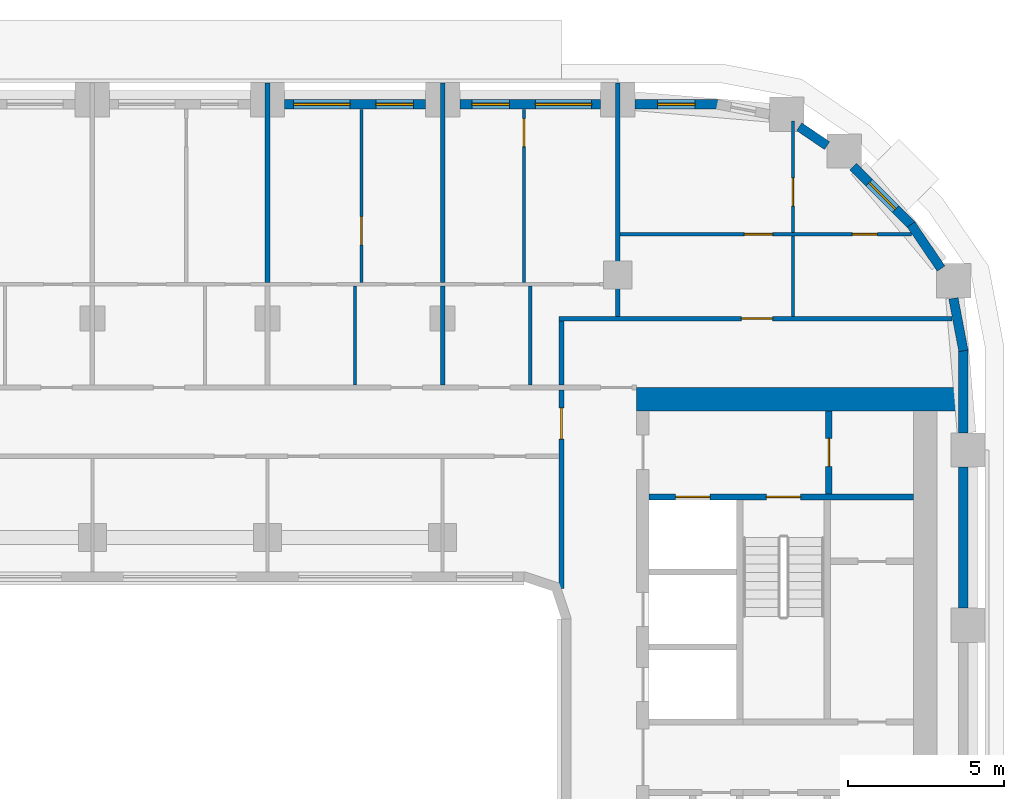
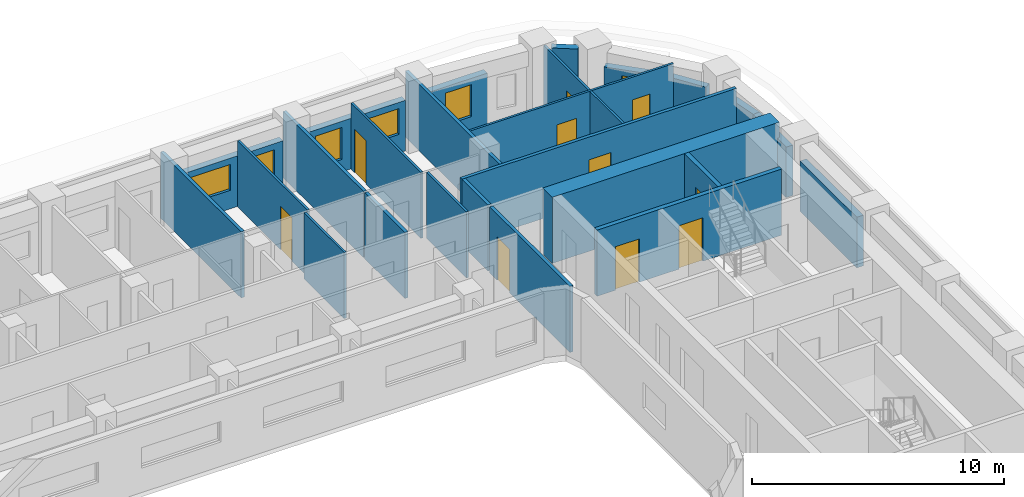
# One storey, part 9 of 22: 26 walls, 10 doors, 6 windows, 16 openings.
"""IFC4 building model written with IfcOpenShell, lengths in metres."""

import ifcopenshell
import ifcopenshell.guid

model = None  # the IFC model being written
_history = None  # IfcOwnerHistory: only IFC2X3 demands one
_inside = {}  # id of a spatial element -> (the spatial element, [elements in it])
_under = {}  # id of a project, library or spatial element -> (it, [spatial elements below it])
_declared = {}  # id of a project -> (the project, [libraries it declares])
_typed = {}  # id of a type object -> (the type object, [elements of that type])
_made_of = {}  # id of a material, layer set ... -> (it, [elements and type objects made of it])


def new_model(schema):
    """Start an empty IFC model of exactly this schema.

    Asked for "IFC4X3", IfcOpenShell would pick the latest addendum, in which some entities
    have other attributes; the version numbers below select the first issue.
    IFC2X3 requires an IfcOwnerHistory on every rooted entity: one is made here for all.
    """
    global model, _history
    if schema == "IFC4X3":
        model = ifcopenshell.file(schema_version=(4, 3, 0, 0))
    else:
        model = ifcopenshell.file(schema=schema)
    _inside.clear()
    _under.clear()
    _declared.clear()
    _typed.clear()
    _made_of.clear()
    _history = None
    if model.schema == "IFC2X3":
        org = make("IfcOrganization", Name="unknown")
        user = make(
            "IfcPersonAndOrganization",
            ThePerson=make("IfcPerson", FamilyName="unknown"),
            TheOrganization=org,
        )
        app = make(
            "IfcApplication",
            ApplicationDeveloper=org,
            Version="unknown",
            ApplicationFullName="unknown",
            ApplicationIdentifier="unknown",
        )
        _history = make(
            "IfcOwnerHistory",
            OwningUser=user,
            OwningApplication=app,
            ChangeAction="ADDED",
            CreationDate=0,
        )
    return model


def make(cls, **values):
    """One entity of the class cls with the attributes given. An attribute that is None is left unset."""
    return model.create_entity(
        cls, **{name: value for name, value in values.items() if value is not None}
    )


def rooted(cls, **values):
    """An entity with a GlobalId (a new one), such as an element, a storey or a relation."""
    return make(cls, GlobalId=ifcopenshell.guid.new(), OwnerHistory=_history, **values)


def si_unit(unit_type, name, prefix=None):
    """IfcSIUnit, for example si_unit("LENGTHUNIT", "METRE", prefix="MILLI")."""
    return make("IfcSIUnit", UnitType=unit_type, Prefix=prefix, Name=name)


def assignment(units):
    """IfcUnitAssignment: the units of a project."""
    return None if units is None else make("IfcUnitAssignment", Units=units)


def point(xyz):
    """IfcCartesianPoint."""
    return None if xyz is None else make("IfcCartesianPoint", Coordinates=xyz)


def direction(xyz):
    """IfcDirection."""
    return None if xyz is None else make("IfcDirection", DirectionRatios=xyz)


def frame(location, z_axis=None, x_axis=None):
    """IfcAxis2Placement3D, a coordinate frame: its origin and axes. An axis left out is left unset."""
    return make(
        "IfcAxis2Placement3D",
        Location=point(location),
        Axis=direction(z_axis),
        RefDirection=direction(x_axis),
    )


def frame_2d(location, x_axis=None):
    """IfcAxis2Placement2D, a coordinate frame in the plane: its origin and x axis."""
    return make(
        "IfcAxis2Placement2D", Location=point(location), RefDirection=direction(x_axis)
    )


def origin():
    """The frame at (0, 0, 0) with its axes left unset."""
    return frame((0.0, 0.0, 0.0))


def place(relative_to, where):
    """IfcLocalPlacement: puts the frame where relative to a parent placement (None: the world)."""
    return make(
        "IfcLocalPlacement", PlacementRelTo=relative_to, RelativePlacement=where
    )


def context(
    kind, dimensions, precision=None, world=None, true_north=None, identifier=None
):
    """IfcGeometricRepresentationContext, for example the 3D "Model" context."""
    return make(
        "IfcGeometricRepresentationContext",
        ContextIdentifier=identifier,
        ContextType=kind,
        CoordinateSpaceDimension=dimensions,
        Precision=precision,
        WorldCoordinateSystem=world,
        TrueNorth=true_north,
    )


def subcontext(parent, identifier, kind, view, scale=None):
    """IfcGeometricRepresentationSubContext, for example "Body" below "Model"."""
    return make(
        "IfcGeometricRepresentationSubContext",
        ContextIdentifier=identifier,
        ContextType=kind,
        ParentContext=parent,
        TargetScale=scale,
        TargetView=view,
    )


def project(units=None, contexts=None):
    """IfcProject with its units and contexts."""
    return rooted(
        "IfcProject",
        Name="project",
        RepresentationContexts=contexts,
        UnitsInContext=assignment(units),
    )


def spatial(cls, under=None, at=None, **own):
    """A site, building, storey or space (cls), placed at a placement, below another one or the project."""
    s = rooted(cls, ObjectPlacement=at, **own)
    if under is not None:
        _under.setdefault(under.id(), (under, []))[1].append(s)
    return s


def profile(cls, at=None, kind="AREA", **sizes):
    """A parametric profile (cls). Its sizes go by their IFC names, for example OverallWidth=200.0."""
    return make(cls, ProfileType=kind, Position=at, **sizes)


def rectangle(**sizes):
    """IfcRectangleProfileDef."""
    return profile("IfcRectangleProfileDef", **sizes)


def extrude(swept, where, along, depth):
    """IfcExtrudedAreaSolid: the profile swept, set in the frame where, extruded along a direction by depth."""
    return make(
        "IfcExtrudedAreaSolid",
        SweptArea=swept,
        Position=where,
        ExtrudedDirection=direction(along),
        Depth=depth,
    )


def shape(context_of_items, identifier, shape_type, items):
    """IfcShapeRepresentation: the items that make up one representation, for example the "Body"."""
    return make(
        "IfcShapeRepresentation",
        ContextOfItems=context_of_items,
        RepresentationIdentifier=identifier,
        RepresentationType=shape_type,
        Items=items,
    )


def material(Name=None, Category=None):
    """IfcMaterial."""
    return make("IfcMaterial", Name=Name, Category=Category)


def layer(
    of_material, thickness, ventilated=None, Name=None, Category=None, Priority=None
):
    """IfcMaterialLayer: one layer of a wall or slab, of a material (None: an air gap)."""
    return make(
        "IfcMaterialLayer",
        Material=of_material,
        LayerThickness=thickness,
        IsVentilated=ventilated,
        Name=Name,
        Category=Category,
        Priority=Priority,
    )


def layer_set(layers, Name=None):
    """IfcMaterialLayerSet."""
    return make("IfcMaterialLayerSet", MaterialLayers=layers, LayerSetName=Name)


def made_of(thing, what):
    """Note that an element or type object is made of a material, layer set ...; save() writes the relation."""
    if what is not None:
        _made_of.setdefault(what.id(), (what, []))[1].append(thing)
    return thing


def type_object(cls, material=None, **own):
    """A type object (cls), such as IfcWallType, which elements share."""
    return made_of(rooted(cls, **own), material)


def element(
    cls,
    number,
    at=None,
    inside=None,
    cuts=None,
    type_object=None,
    material=None,
    context=None,
    identifier="Body",
    shape_type=None,
    held_by="IfcProductDefinitionShape",
    body=None,
    shapes=None,
    **own,
):
    """One element of the class cls, such as IfcWall. Its Tag is "e" and its number.

    at: its placement. inside: the storey or other place that contains it. cuts: it is an
    opening in that element (IfcRelVoidsElement). A single representation is given by context,
    identifier, shape_type and body (its items); several are given by shapes. held_by: the class
    of the entity that holds the representations. save() writes the other relations.
    """
    e = rooted(cls, Tag="e%d" % number, ObjectPlacement=at, **own)
    if body is not None:
        shapes = [shape(context, identifier, shape_type, body)]
    if shapes is not None:
        e.Representation = make(held_by, Representations=shapes)
    if inside is not None:
        _inside.setdefault(inside.id(), (inside, []))[1].append(e)
    if cuts is not None:
        rooted(
            "IfcRelVoidsElement", RelatingBuildingElement=cuts, RelatedOpeningElement=e
        )
    if type_object is not None:
        _typed.setdefault(type_object.id(), (type_object, []))[1].append(e)
    return made_of(e, material)


def fill(opening, filler):
    """IfcRelFillsElement: the door or window that sits in an opening."""
    return rooted(
        "IfcRelFillsElement",
        RelatingOpeningElement=opening,
        RelatedBuildingElement=filler,
    )


def aggregate(whole, parts):
    """IfcRelAggregates: a whole, such as a stair, and the parts it consists of."""
    return rooted("IfcRelAggregates", RelatingObject=whole, RelatedObjects=parts)


def save(model, path):
    """Write the relations noted so far, then the file.

    IfcRelAggregates (storeys below a building ...), IfcRelContainedInSpatialStructure (elements
    in a storey), IfcRelDefinesByType, IfcRelAssociatesMaterial and IfcRelDeclares: one each for
    every whole, place, type object, material and project.
    """
    for whole, parts in _under.values():
        aggregate(whole, parts)
    for where, things in _inside.values():
        rooted(
            "IfcRelContainedInSpatialStructure",
            RelatedElements=things,
            RelatingStructure=where,
        )
    for kind, things in _typed.values():
        rooted("IfcRelDefinesByType", RelatedObjects=things, RelatingType=kind)
    for what, things in _made_of.values():
        rooted("IfcRelAssociatesMaterial", RelatedObjects=things, RelatingMaterial=what)
    for by, libraries in _declared.values():
        rooted("IfcRelDeclares", RelatingContext=by, RelatedDefinitions=libraries)
    model.write(path)


model = new_model("IFC4")

# Units and contexts
model_context = context("Model", 3, precision=1e-05, world=origin(), true_north=direction((0.0, 1.0)))
body_context = subcontext(model_context, "Body", "Model", "MODEL_VIEW")
ifc_project = project(units=[si_unit("LENGTHUNIT", "METRE"), si_unit("AREAUNIT", "SQUARE_METRE"), si_unit("VOLUMEUNIT", "CUBIC_METRE"), si_unit("PLANEANGLEUNIT", "RADIAN"), si_unit("MASSUNIT", "GRAM", prefix="KILO")], contexts=[model_context])

# Site, building, storey
site_placement = place(None, origin())
site = spatial("IfcSite", under=ifc_project, at=site_placement, CompositionType="ELEMENT")
building_placement = place(site_placement, origin())
building = spatial("IfcBuilding", under=site, at=building_placement, Name="Kiln Ring Residences", CompositionType="ELEMENT")
storey_placement = place(building_placement, frame((0.0, 0.0, 139.60009765625)))
storey = spatial("IfcBuildingStorey", under=building, at=storey_placement, Name="L35", CompositionType="ELEMENT", Elevation=139.60009765625)

# Wall, opening, door
ifc_material_1 = material(Name="Gypsum board on steel studs", Category="steel")
ifc_layer_1 = layer(ifc_material_1, 0.199951171875)
ifc_layer_set_1 = layer_set([ifc_layer_1], Name="CORE-PARTITION-200")
wall_type_1 = type_object("IfcWallType", Name="CORE-PARTITION-200", PredefinedType="PARTITIONING", material=ifc_layer_set_1)
wall_1_placement = place(storey_placement, frame((23.550048828125, 9.800048828125, 0.0), z_axis=(0.0, 0.0, 1.0), x_axis=(0.0, 1.0, 0.0)))
wall_1 = element("IfcWall", 1, at=wall_1_placement, inside=storey, type_object=wall_type_1, Name="Core partition east L35 4", PredefinedType="PARTITIONING", context=body_context, shape_type="SweptSolid", body=[
    extrude(rectangle(XDim=2.64990234375, YDim=0.199951171875, at=frame_2d((1.324951171875, 0.0))), origin(), (0.0, 0.0, 1.0), 3.199951171875),
])
opening_1_placement = place(wall_1_placement, frame((0.875, 0.0, 0.0)))
opening_1 = element("IfcOpeningElement", 2, at=opening_1_placement, cuts=wall_1, Name="Opening L35-CE09", PredefinedType="OPENING", context=body_context, shape_type="SweptSolid", body=[
    extrude(rectangle(XDim=0.89990234375, YDim=2.10009765625, at=frame_2d((0.449951171875, 1.050048828125))), frame((0.0, 0.10986328125, 0.0), z_axis=(0.0, -1.0, 0.0), x_axis=(1.0, 0.0, 0.0)), (0.0, 0.0, 1.0), 0.219970703125),
])
ifc_material_2 = material(Name="Steel door leaf", Category="steel")
door_type_1 = type_object("IfcDoorType", Name="CORE-DOOR-ROOM", OperationType="SINGLE_SWING_LEFT", PredefinedType="DOOR", material=ifc_material_2)
door_1_placement = place(opening_1_placement, origin())
door_1 = element("IfcDoor", 3, at=door_1_placement, inside=storey, type_object=door_type_1, Name="Fire riser room L35-CE09", OperationType="SINGLE_SWING_RIGHT", OverallHeight=2.10009765625, OverallWidth=0.89990234375, PredefinedType="DOOR", context=body_context, shape_type="SweptSolid", body=[
    extrude(rectangle(XDim=0.89990234375, YDim=2.10009765625, at=frame_2d((0.449951171875, 1.050048828125))), frame((0.0, 0.02490234375, 0.0), z_axis=(0.0, -1.0, 0.0), x_axis=(1.0, 0.0, 0.0)), (0.0, 0.0, 1.0), 0.050048828125),
])
fill(opening_1, door_1)

# Wall, openings, doors
ifc_material_3 = material(Name="Concrete C40/50", Category="concrete")
ifc_layer_2 = layer(ifc_material_3, 0.199951171875)
ifc_layer_set_2 = layer_set([ifc_layer_2], Name="CORE-WALL-RC200")
wall_type_2 = type_object("IfcWallType", Name="CORE-WALL-RC200", PredefinedType="SHEAR", material=ifc_layer_set_2)
wall_2_placement = place(storey_placement, frame((17.800048828125, 9.699951171875, 0.0), z_axis=(0.0, 0.0, 1.0), x_axis=(1.0, 0.0, 0.0)))
wall_2 = element("IfcWall", 4, at=wall_2_placement, inside=storey, type_object=wall_type_2, Name="Core wall east L35 9", PredefinedType="SHEAR", context=body_context, shape_type="SweptSolid", body=[
    extrude(rectangle(XDim=8.449951171875, YDim=0.199951171875, at=frame_2d((4.22509765625, 0.0))), origin(), (0.0, 0.0, 1.0), 3.199951171875),
])
opening_2_placement = place(wall_2_placement, frame((0.85009765625, 0.0, 0.0)))
opening_2 = element("IfcOpeningElement", 5, at=opening_2_placement, cuts=wall_2, Name="Opening L35-CE06", PredefinedType="OPENING", context=body_context, shape_type="SweptSolid", body=[
    extrude(rectangle(XDim=1.10009765625, YDim=2.10009765625, at=frame_2d((0.550048828125, 1.050048828125))), frame((0.0, 0.10986328125, 0.0), z_axis=(0.0, -1.0, 0.0), x_axis=(1.0, 0.0, 0.0)), (0.0, 0.0, 1.0), 0.219970703125),
])
opening_3_placement = place(wall_2_placement, frame((3.75, 0.0, 0.0)))
opening_3 = element("IfcOpeningElement", 6, at=opening_3_placement, cuts=wall_2, Name="Opening L35-CE11", PredefinedType="OPENING", context=body_context, shape_type="SweptSolid", body=[
    extrude(rectangle(XDim=1.10009765625, YDim=2.10009765625, at=frame_2d((0.550048828125, 1.050048828125))), frame((0.0, 0.10986328125, 0.0), z_axis=(0.0, -1.0, 0.0), x_axis=(1.0, 0.0, 0.0)), (0.0, 0.0, 1.0), 0.219970703125),
])
ifc_material_4 = material(Name="Steel door leaf", Category="steel")
door_type_2 = type_object("IfcDoorType", Name="CORE-DOOR-LD", OperationType="DOUBLE_DOOR_SLIDING", PredefinedType="DOOR", material=ifc_material_4)
door_2_placement = place(opening_2_placement, origin())
door_2 = element("IfcDoor", 7, at=door_2_placement, inside=storey, type_object=door_type_2, Name="LD E-FF L35-CE06", OperationType="DOUBLE_DOOR_SLIDING", OverallHeight=2.10009765625, OverallWidth=1.10009765625, PredefinedType="DOOR", context=body_context, shape_type="SweptSolid", body=[
    extrude(rectangle(XDim=1.10009765625, YDim=2.10009765625, at=frame_2d((0.550048828125, 1.050048828125))), frame((0.0, 0.02490234375, 0.0), z_axis=(0.0, -1.0, 0.0), x_axis=(1.0, 0.0, 0.0)), (0.0, 0.0, 1.0), 0.050048828125),
])
fill(opening_2, door_2)
ifc_material_5 = material(Name="Steel door leaf", Category="steel")
door_type_3 = type_object("IfcDoorType", Name="CORE-DOOR-STAIR", OperationType="SINGLE_SWING_LEFT", PredefinedType="DOOR", material=ifc_material_5)
door_3_placement = place(opening_3_placement, origin())
door_3 = element("IfcDoor", 8, at=door_3_placement, inside=storey, type_object=door_type_3, Name="Stair E-STN L35-CE11", OperationType="SINGLE_SWING_RIGHT", OverallHeight=2.10009765625, OverallWidth=1.10009765625, PredefinedType="DOOR", context=body_context, shape_type="SweptSolid", body=[
    extrude(rectangle(XDim=1.10009765625, YDim=2.10009765625, at=frame_2d((0.550048828125, 1.050048828125))), frame((0.0, 0.02490234375, 0.0), z_axis=(0.0, -1.0, 0.0), x_axis=(1.0, 0.0, 0.0)), (0.0, 0.0, 1.0), 0.050048828125),
])
fill(opening_3, door_3)

# Walls
ifc_material_6 = material(Name="Concrete C60/75", Category="concrete")
ifc_layer_3 = layer(ifc_material_6, 0.75)
ifc_layer_set_3 = layer_set([ifc_layer_3], Name="CORE-WALL-RC750")
wall_type_3 = type_object("IfcWallType", Name="CORE-WALL-RC750", PredefinedType="SHEAR", material=ifc_layer_set_3)
wall_3_placement = place(storey_placement, frame((17.39990234375, 12.824951171875, 0.0), z_axis=(0.0, 0.0, 1.0), x_axis=(1.0, 0.0, 0.0)))
element("IfcWall", 9, at=wall_3_placement, inside=storey, type_object=wall_type_3, Name="Core wall east L35 4", PredefinedType="SHEAR", context=body_context, shape_type="SweptSolid", body=[
    extrude(rectangle(XDim=10.400146484375, YDim=0.75, at=frame_2d((5.2001953125, 0.0))), origin(), (0.0, 0.0, 1.0), 3.199951171875),
])
ifc_material_7 = material(Name="Brick masonry, dark clay brick", Category="masonry")
ifc_layer_4 = layer(ifc_material_7, 0.300048828125)
ifc_layer_set_4 = layer_set([ifc_layer_4], Name="EW-300 BRICK WALL")
wall_type_4 = type_object("IfcWallType", Name="EW-300 BRICK WALL", PredefinedType="SOLIDWALL", material=ifc_layer_set_4)
wall_4_placement = place(storey_placement, frame((27.85009765625, 6.14990234375, 0.0), z_axis=(0.0, 0.0, 1.0), x_axis=(0.0, 1.0, 0.0)))
element("IfcWall", 10, at=wall_4_placement, inside=storey, type_object=wall_type_4, Name="Facade wall L35 21", PredefinedType="SOLIDWALL", context=body_context, shape_type="SweptSolid", body=[
    extrude(rectangle(XDim=4.5, YDim=0.300048828125, at=frame_2d((2.25, 0.0))), origin(), (0.0, 0.0, 1.0), 2.449951171875),
])
wall_5_placement = place(storey_placement, frame((27.85009765625, 11.75, 0.0), z_axis=(0.0, 0.0, 1.0), x_axis=(0.0, 1.0, 0.0)))
element("IfcWall", 11, at=wall_5_placement, inside=storey, type_object=wall_type_4, Name="Facade wall L35 22", PredefinedType="SOLIDWALL", context=body_context, shape_type="SweptSolid", body=[
    extrude(rectangle(XDim=2.64990234375, YDim=0.300048828125, at=frame_2d((1.324951171875, 0.0))), origin(), (0.0, 0.0, 1.0), 2.449951171875),
])
wall_6_placement = place(storey_placement, frame((27.8525390625, 14.371826171875, 0.0), z_axis=(0.0, 0.0, 1.0), x_axis=(-0.187302784601, 0.982302227871, 0.0)))
element("IfcWall", 12, at=wall_6_placement, inside=storey, type_object=wall_type_4, Name="Facade wall L35 23", PredefinedType="SOLIDWALL", context=body_context, shape_type="SweptSolid", body=[
    extrude(rectangle(XDim=1.706298828125, YDim=0.300048828125, at=frame_2d((0.85302734375, 0.0))), origin(), (0.0, 0.0, 1.0), 2.449951171875),
])
wall_7_placement = place(storey_placement, frame((27.137939453125, 17.001708984375, 0.0), z_axis=(0.0, 0.0, 1.0), x_axis=(-0.562075160946, 0.827086158419, 0.0)))
element("IfcWall", 13, at=wall_7_placement, inside=storey, type_object=wall_type_4, Name="Facade wall L35 24", PredefinedType="SOLIDWALL", context=body_context, shape_type="SweptSolid", body=[
    extrude(rectangle(XDim=1.7060546875, YDim=0.300048828125, at=frame_2d((0.85302734375, 0.0))), origin(), (0.0, 0.0, 1.0), 2.449951171875),
])

# Wall, opening, window
wall_8_placement = place(storey_placement, frame((26.19677734375, 18.390869140625, 0.0), z_axis=(0.0, 0.0, 1.0), x_axis=(-0.707060717099, 0.707152842274, 0.0)))
wall_8 = element("IfcWall", 14, at=wall_8_placement, inside=storey, type_object=wall_type_4, Name="Facade wall L35 25", PredefinedType="SOLIDWALL", context=body_context, shape_type="SweptSolid", body=[
    extrude(rectangle(XDim=2.650146484375, YDim=0.300048828125, at=frame_2d((1.3251953125, 0.0))), origin(), (0.0, 0.0, 1.0), 2.449951171875),
])
opening_4_placement = place(wall_8_placement, frame((0.72509765625, 0.0, 0.60009765625)))
opening_4 = element("IfcOpeningElement", 15, at=opening_4_placement, cuts=wall_8, Name="Opening W1", PredefinedType="OPENING", context=body_context, shape_type="SweptSolid", body=[
    extrude(rectangle(XDim=1.199951171875, YDim=1.550048828125, at=frame_2d((0.60009765625, 0.77490234375))), frame((0.0, 0.159912109375, 0.0), z_axis=(0.0, -1.0, 0.0), x_axis=(1.0, 0.0, 0.0)), (0.0, 0.0, 1.0), 0.320068359375),
])
ifc_material_8 = material(Name="Aluminium frame with double glazing", Category="aluminium")
window_type_1 = type_object("IfcWindowType", Name="WINDOW 1200 x 1550", PartitioningType="SINGLE_PANEL", PredefinedType="WINDOW", material=ifc_material_8)
window_1_placement = place(opening_4_placement, origin())
window_1 = element("IfcWindow", 16, at=window_1_placement, inside=storey, type_object=window_type_1, Name="Window L35 16", OverallHeight=1.550048828125, OverallWidth=1.199951171875, PartitioningType="SINGLE_PANEL", PredefinedType="WINDOW", context=body_context, shape_type="SweptSolid", body=[
    extrude(rectangle(XDim=1.199951171875, YDim=1.550048828125, at=frame_2d((0.60009765625, 0.77490234375))), frame((0.0, 0.030029296875, 0.0), z_axis=(0.0, -1.0, 0.0), x_axis=(1.0, 0.0, 0.0)), (0.0, 0.0, 1.0), 0.06005859375),
])
fill(opening_4, window_1)

# Wall
wall_9_placement = place(storey_placement, frame((23.492431640625, 20.932373046875, 0.0), z_axis=(0.0, 0.0, 1.0), x_axis=(-0.826993959827, 0.562210806023, 0.0)))
element("IfcWall", 17, at=wall_9_placement, inside=storey, type_object=wall_type_4, Name="Facade wall L35 26", PredefinedType="SOLIDWALL", context=body_context, shape_type="SweptSolid", body=[
    extrude(rectangle(XDim=1.076904296875, YDim=0.300048828125, at=frame_2d((0.53857421875, 0.0))), origin(), (0.0, 0.0, 1.0), 3.199951171875),
])

# Wall, opening, window
wall_10_placement = place(storey_placement, frame((20.0, 22.25, 0.0), z_axis=(0.0, 0.0, 1.0), x_axis=(-1.0, 0.0, 0.0)))
wall_10 = element("IfcWall", 18, at=wall_10_placement, inside=storey, type_object=wall_type_4, Name="Facade wall L35 28", PredefinedType="SOLIDWALL", context=body_context, shape_type="SweptSolid", body=[
    extrude(rectangle(XDim=2.64990234375, YDim=0.300048828125, at=frame_2d((1.324951171875, 0.0))), origin(), (0.0, 0.0, 1.0), 2.449951171875),
])
opening_5_placement = place(wall_10_placement, frame((0.72509765625, 0.0, 0.60009765625)))
opening_5 = element("IfcOpeningElement", 19, at=opening_5_placement, cuts=wall_10, Name="Opening W1", PredefinedType="OPENING", context=body_context, shape_type="SweptSolid", body=[
    extrude(rectangle(XDim=1.199951171875, YDim=1.550048828125, at=frame_2d((0.60009765625, 0.77490234375))), frame((0.0, 0.159912109375, 0.0), z_axis=(0.0, -1.0, 0.0), x_axis=(1.0, 0.0, 0.0)), (0.0, 0.0, 1.0), 0.320068359375),
])
window_2_placement = place(opening_5_placement, origin())
window_2 = element("IfcWindow", 20, at=window_2_placement, inside=storey, type_object=window_type_1, Name="Window L35 18", OverallHeight=1.550048828125, OverallWidth=1.199951171875, PartitioningType="SINGLE_PANEL", PredefinedType="WINDOW", context=body_context, shape_type="SweptSolid", body=[
    extrude(rectangle(XDim=1.199951171875, YDim=1.550048828125, at=frame_2d((0.60009765625, 0.77490234375))), frame((0.0, 0.030029296875, 0.0), z_axis=(0.0, -1.0, 0.0), x_axis=(1.0, 0.0, 0.0)), (0.0, 0.0, 1.0), 0.06005859375),
])
fill(opening_5, window_2)

# Wall, openings, windows
wall_11_placement = place(storey_placement, frame((16.25, 22.25, 0.0), z_axis=(0.0, 0.0, 1.0), x_axis=(-1.0, 0.0, 0.0)))
wall_11 = element("IfcWall", 21, at=wall_11_placement, inside=storey, type_object=wall_type_4, Name="Facade wall L35 29", PredefinedType="SOLIDWALL", context=body_context, shape_type="SweptSolid", body=[
    extrude(rectangle(XDim=4.5, YDim=0.300048828125, at=frame_2d((2.25, 0.0))), origin(), (0.0, 0.0, 1.0), 2.449951171875),
])
opening_6_placement = place(wall_11_placement, frame((0.28759765625, 0.0, 0.89990234375)))
opening_6 = element("IfcOpeningElement", 22, at=opening_6_placement, cuts=wall_11, Name="Opening W2", PredefinedType="OPENING", context=body_context, shape_type="SweptSolid", body=[
    extrude(rectangle(XDim=1.800048828125, YDim=1.25, at=frame_2d((0.89990234375, 0.625))), frame((0.0, 0.159912109375, 0.0), z_axis=(0.0, -1.0, 0.0), x_axis=(1.0, 0.0, 0.0)), (0.0, 0.0, 1.0), 0.320068359375),
])
opening_7_placement = place(wall_11_placement, frame((2.91259765625, 0.0, 0.60009765625)))
opening_7 = element("IfcOpeningElement", 23, at=opening_7_placement, cuts=wall_11, Name="Opening W1", PredefinedType="OPENING", context=body_context, shape_type="SweptSolid", body=[
    extrude(rectangle(XDim=1.199951171875, YDim=1.550048828125, at=frame_2d((0.60009765625, 0.77490234375))), frame((0.0, 0.159912109375, 0.0), z_axis=(0.0, -1.0, 0.0), x_axis=(1.0, 0.0, 0.0)), (0.0, 0.0, 1.0), 0.320068359375),
])
window_3_placement = place(opening_7_placement, origin())
window_3 = element("IfcWindow", 24, at=window_3_placement, inside=storey, type_object=window_type_1, Name="Window L35 20", OverallHeight=1.550048828125, OverallWidth=1.199951171875, PartitioningType="SINGLE_PANEL", PredefinedType="WINDOW", context=body_context, shape_type="SweptSolid", body=[
    extrude(rectangle(XDim=1.199951171875, YDim=1.550048828125, at=frame_2d((0.60009765625, 0.77490234375))), frame((0.0, 0.030029296875, 0.0), z_axis=(0.0, -1.0, 0.0), x_axis=(1.0, 0.0, 0.0)), (0.0, 0.0, 1.0), 0.06005859375),
])
fill(opening_7, window_3)
ifc_material_9 = material(Name="Aluminium frame with double glazing", Category="aluminium")
window_type_2 = type_object("IfcWindowType", Name="WINDOW 1800 x 1250", PartitioningType="SINGLE_PANEL", PredefinedType="WINDOW", material=ifc_material_9)
window_4_placement = place(opening_6_placement, origin())
window_4 = element("IfcWindow", 25, at=window_4_placement, inside=storey, type_object=window_type_2, Name="Window L35 19", OverallHeight=1.25, OverallWidth=1.800048828125, PartitioningType="SINGLE_PANEL", PredefinedType="WINDOW", context=body_context, shape_type="SweptSolid", body=[
    extrude(rectangle(XDim=1.800048828125, YDim=1.25, at=frame_2d((0.89990234375, 0.625))), frame((0.0, 0.030029296875, 0.0), z_axis=(0.0, -1.0, 0.0), x_axis=(1.0, 0.0, 0.0)), (0.0, 0.0, 1.0), 0.06005859375),
])
fill(opening_6, window_4)

wall_12_placement = place(storey_placement, frame((10.64990234375, 22.25, 0.0), z_axis=(0.0, 0.0, 1.0), x_axis=(-1.0, 0.0, 0.0)))
wall_12 = element("IfcWall", 26, at=wall_12_placement, inside=storey, type_object=wall_type_4, Name="Facade wall L35 30", PredefinedType="SOLIDWALL", context=body_context, shape_type="SweptSolid", body=[
    extrude(rectangle(XDim=4.5, YDim=0.300048828125, at=frame_2d((2.25, 0.0))), origin(), (0.0, 0.0, 1.0), 2.449951171875),
])
opening_8_placement = place(wall_12_placement, frame((0.387451171875, 0.0, 0.60009765625)))
opening_8 = element("IfcOpeningElement", 27, at=opening_8_placement, cuts=wall_12, Name="Opening W1", PredefinedType="OPENING", context=body_context, shape_type="SweptSolid", body=[
    extrude(rectangle(XDim=1.199951171875, YDim=1.550048828125, at=frame_2d((0.60009765625, 0.77490234375))), frame((0.0, 0.159912109375, 0.0), z_axis=(0.0, -1.0, 0.0), x_axis=(1.0, 0.0, 0.0)), (0.0, 0.0, 1.0), 0.320068359375),
])
opening_9_placement = place(wall_12_placement, frame((2.41259765625, 0.0, 0.89990234375)))
opening_9 = element("IfcOpeningElement", 28, at=opening_9_placement, cuts=wall_12, Name="Opening W2", PredefinedType="OPENING", context=body_context, shape_type="SweptSolid", body=[
    extrude(rectangle(XDim=1.800048828125, YDim=1.25, at=frame_2d((0.89990234375, 0.625))), frame((0.0, 0.159912109375, 0.0), z_axis=(0.0, -1.0, 0.0), x_axis=(1.0, 0.0, 0.0)), (0.0, 0.0, 1.0), 0.320068359375),
])
window_5_placement = place(opening_8_placement, origin())
window_5 = element("IfcWindow", 29, at=window_5_placement, inside=storey, type_object=window_type_1, Name="Window L35 21", OverallHeight=1.550048828125, OverallWidth=1.199951171875, PartitioningType="SINGLE_PANEL", PredefinedType="WINDOW", context=body_context, shape_type="SweptSolid", body=[
    extrude(rectangle(XDim=1.199951171875, YDim=1.550048828125, at=frame_2d((0.60009765625, 0.77490234375))), frame((0.0, 0.030029296875, 0.0), z_axis=(0.0, -1.0, 0.0), x_axis=(1.0, 0.0, 0.0)), (0.0, 0.0, 1.0), 0.06005859375),
])
fill(opening_8, window_5)
window_6_placement = place(opening_9_placement, origin())
window_6 = element("IfcWindow", 30, at=window_6_placement, inside=storey, type_object=window_type_2, Name="Window L35 22", OverallHeight=1.25, OverallWidth=1.800048828125, PartitioningType="SINGLE_PANEL", PredefinedType="WINDOW", context=body_context, shape_type="SweptSolid", body=[
    extrude(rectangle(XDim=1.800048828125, YDim=1.25, at=frame_2d((0.89990234375, 0.625))), frame((0.0, 0.030029296875, 0.0), z_axis=(0.0, -1.0, 0.0), x_axis=(1.0, 0.0, 0.0)), (0.0, 0.0, 1.0), 0.06005859375),
])
fill(opening_9, window_6)

# Wall, openings, doors
ifc_material_10 = material(Name="Gypsum board on steel studs", Category="steel")
ifc_layer_5 = layer(ifc_material_10, 0.10009765625)
ifc_layer_set_5 = layer_set([ifc_layer_5], Name="PARTITION-100")
wall_type_5 = type_object("IfcWallType", Name="PARTITION-100", PredefinedType="PARTITIONING", material=ifc_layer_set_5)
wall_13_placement = place(storey_placement, frame((16.875, 18.10009765625, 0.0), z_axis=(0.0, 0.0, 1.0), x_axis=(1.0, 0.0, 0.0)))
wall_13 = element("IfcWall", 31, at=wall_13_placement, inside=storey, type_object=wall_type_5, Name="Partition 013", PredefinedType="PARTITIONING", context=body_context, shape_type="SweptSolid", body=[
    extrude(rectangle(XDim=9.315185546875, YDim=0.10009765625, at=frame_2d((4.65771484375, 0.0))), origin(), (0.0, 0.0, 1.0), 3.199951171875),
])
opening_10_placement = place(wall_13_placement, frame((7.425048828125, 0.0, 0.0)))
opening_10 = element("IfcOpeningElement", 32, at=opening_10_placement, cuts=wall_13, Name="Opening L35-D036", PredefinedType="OPENING", context=body_context, shape_type="SweptSolid", body=[
    extrude(rectangle(XDim=0.800048828125, YDim=2.10009765625, at=frame_2d((0.39990234375, 1.050048828125))), frame((0.0, 0.06005859375, 0.0), z_axis=(0.0, -1.0, 0.0), x_axis=(1.0, 0.0, 0.0)), (0.0, 0.0, 1.0), 0.1201171875),
])
opening_11_placement = place(wall_13_placement, frame((3.97509765625, 0.0, 0.0)))
opening_11 = element("IfcOpeningElement", 33, at=opening_11_placement, cuts=wall_13, Name="Opening L35-D037", PredefinedType="OPENING", context=body_context, shape_type="SweptSolid", body=[
    extrude(rectangle(XDim=0.89990234375, YDim=2.10009765625, at=frame_2d((0.449951171875, 1.050048828125))), frame((0.0, 0.06005859375, 0.0), z_axis=(0.0, -1.0, 0.0), x_axis=(1.0, 0.0, 0.0)), (0.0, 0.0, 1.0), 0.1201171875),
])
ifc_material_11 = material(Name="Timber door leaf", Category="wood")
door_type_4 = type_object("IfcDoorType", Name="FLAT-DOOR-800-PL", OperationType="SINGLE_SWING_LEFT", PredefinedType="DOOR", material=ifc_material_11)
door_4_placement = place(opening_10_placement, origin())
door_4 = element("IfcDoor", 34, at=door_4_placement, inside=storey, type_object=door_type_4, Name="Door L35-D036", OperationType="SINGLE_SWING_RIGHT", OverallHeight=2.10009765625, OverallWidth=0.800048828125, PredefinedType="DOOR", context=body_context, shape_type="SweptSolid", body=[
    extrude(rectangle(XDim=0.800048828125, YDim=2.10009765625, at=frame_2d((0.39990234375, 1.050048828125))), frame((0.0, 0.02490234375, 0.0), z_axis=(0.0, -1.0, 0.0), x_axis=(1.0, 0.0, 0.0)), (0.0, 0.0, 1.0), 0.050048828125),
])
fill(opening_10, door_4)
ifc_material_12 = material(Name="Timber door leaf", Category="wood")
door_type_5 = type_object("IfcDoorType", Name="FLAT-DOOR-900-PL", OperationType="SINGLE_SWING_LEFT", PredefinedType="DOOR", material=ifc_material_12)
door_5_placement = place(opening_11_placement, origin())
door_5 = element("IfcDoor", 35, at=door_5_placement, inside=storey, type_object=door_type_5, Name="Door L35-D037", OperationType="SINGLE_SWING_LEFT", OverallHeight=2.10009765625, OverallWidth=0.89990234375, PredefinedType="DOOR", context=body_context, shape_type="SweptSolid", body=[
    extrude(rectangle(XDim=0.89990234375, YDim=2.10009765625, at=frame_2d((0.449951171875, 1.050048828125))), frame((0.0, 0.02490234375, 0.0), z_axis=(0.0, -1.0, 0.0), x_axis=(1.0, 0.0, 0.0)), (0.0, 0.0, 1.0), 0.050048828125),
])
fill(opening_11, door_5)

# Wall
wall_14_placement = place(storey_placement, frame((8.39990234375, 13.27490234375, 0.0), z_axis=(0.0, 0.0, 1.0), x_axis=(0.0, 1.0, 0.0)))
element("IfcWall", 36, at=wall_14_placement, inside=storey, type_object=wall_type_5, Name="Partition 055", PredefinedType="PARTITIONING", context=body_context, shape_type="SweptSolid", body=[
    extrude(rectangle(XDim=3.175048828125, YDim=0.10009765625, at=frame_2d((1.58740234375, 0.0))), origin(), (0.0, 0.0, 1.0), 3.199951171875),
])

# Wall, opening, door
wall_15_placement = place(storey_placement, frame((8.60009765625, 16.550048828125, 0.0), z_axis=(0.0, 0.0, 1.0), x_axis=(0.0, 1.0, 0.0)))
wall_15 = element("IfcWall", 37, at=wall_15_placement, inside=storey, type_object=wall_type_5, Name="Partition 057", PredefinedType="PARTITIONING", context=body_context, shape_type="SweptSolid", body=[
    extrude(rectangle(XDim=5.530029296875, YDim=0.10009765625, at=frame_2d((2.76513671875, 0.0))), origin(), (0.0, 0.0, 1.0), 3.199951171875),
])
opening_12_placement = place(wall_15_placement, frame((1.2099609375, 0.0, 0.0)))
opening_12 = element("IfcOpeningElement", 38, at=opening_12_placement, cuts=wall_15, Name="Opening L35-D030", PredefinedType="OPENING", context=body_context, shape_type="SweptSolid", body=[
    extrude(rectangle(XDim=0.89990234375, YDim=2.10009765625, at=frame_2d((0.449951171875, 1.050048828125))), frame((0.0, 0.06005859375, 0.0), z_axis=(0.0, -1.0, 0.0), x_axis=(1.0, 0.0, 0.0)), (0.0, 0.0, 1.0), 0.1201171875),
])
door_6_placement = place(opening_12_placement, origin())
door_6 = element("IfcDoor", 39, at=door_6_placement, inside=storey, type_object=door_type_5, Name="Door L35-D030", OperationType="SINGLE_SWING_RIGHT", OverallHeight=2.10009765625, OverallWidth=0.89990234375, PredefinedType="DOOR", context=body_context, shape_type="SweptSolid", body=[
    extrude(rectangle(XDim=0.89990234375, YDim=2.10009765625, at=frame_2d((0.449951171875, 1.050048828125))), frame((0.0, 0.02490234375, 0.0), z_axis=(0.0, -1.0, 0.0), x_axis=(1.0, 0.0, 0.0)), (0.0, 0.0, 1.0), 0.050048828125),
])
fill(opening_12, door_6)

wall_16_placement = place(storey_placement, frame((13.800048828125, 16.550048828125, 0.0), z_axis=(0.0, 0.0, 1.0), x_axis=(0.0, 1.0, 0.0)))
wall_16 = element("IfcWall", 40, at=wall_16_placement, inside=storey, type_object=wall_type_5, Name="Partition 064", PredefinedType="PARTITIONING", context=body_context, shape_type="SweptSolid", body=[
    extrude(rectangle(XDim=5.530029296875, YDim=0.10009765625, at=frame_2d((2.76513671875, 0.0))), origin(), (0.0, 0.0, 1.0), 3.199951171875),
])
opening_13_placement = place(wall_16_placement, frame((4.35009765625, 0.0, 0.0)))
opening_13 = element("IfcOpeningElement", 41, at=opening_13_placement, cuts=wall_16, Name="Opening L35-D034", PredefinedType="OPENING", context=body_context, shape_type="SweptSolid", body=[
    extrude(rectangle(XDim=0.89990234375, YDim=2.10009765625, at=frame_2d((0.449951171875, 1.050048828125))), frame((0.0, 0.06005859375, 0.0), z_axis=(0.0, -1.0, 0.0), x_axis=(1.0, 0.0, 0.0)), (0.0, 0.0, 1.0), 0.1201171875),
])
door_7_placement = place(opening_13_placement, origin())
door_7 = element("IfcDoor", 42, at=door_7_placement, inside=storey, type_object=door_type_5, Name="Door L35-D034", OperationType="SINGLE_SWING_RIGHT", OverallHeight=2.10009765625, OverallWidth=0.89990234375, PredefinedType="DOOR", context=body_context, shape_type="SweptSolid", body=[
    extrude(rectangle(XDim=0.89990234375, YDim=2.10009765625, at=frame_2d((0.449951171875, 1.050048828125))), frame((0.0, 0.02490234375, 0.0), z_axis=(0.0, -1.0, 0.0), x_axis=(1.0, 0.0, 0.0)), (0.0, 0.0, 1.0), 0.050048828125),
])
fill(opening_13, door_7)

# Walls
wall_17_placement = place(storey_placement, frame((14.0, 13.27490234375, 0.0), z_axis=(0.0, 0.0, 1.0), x_axis=(0.0, 1.0, 0.0)))
element("IfcWall", 43, at=wall_17_placement, inside=storey, type_object=wall_type_5, Name="Partition 065", PredefinedType="PARTITIONING", context=body_context, shape_type="SweptSolid", body=[
    extrude(rectangle(XDim=3.175048828125, YDim=0.10009765625, at=frame_2d((1.58740234375, 0.0))), origin(), (0.0, 0.0, 1.0), 3.199951171875),
])
wall_18_placement = place(storey_placement, frame((22.39990234375, 15.47509765625, 0.0), z_axis=(0.0, 0.0, 1.0), x_axis=(0.0, 1.0, 0.0)))
element("IfcWall", 44, at=wall_18_placement, inside=storey, type_object=wall_type_5, Name="Partition 075", PredefinedType="PARTITIONING", context=body_context, shape_type="SweptSolid", body=[
    extrude(rectangle(XDim=2.574951171875, YDim=0.10009765625, at=frame_2d((1.28759765625, 0.0))), origin(), (0.0, 0.0, 1.0), 3.199951171875),
])

# Wall, opening, door
wall_19_placement = place(storey_placement, frame((22.39990234375, 18.14990234375, 0.0), z_axis=(0.0, 0.0, 1.0), x_axis=(0.0, 1.0, 0.0)))
wall_19 = element("IfcWall", 45, at=wall_19_placement, inside=storey, type_object=wall_type_5, Name="Partition 076", PredefinedType="PARTITIONING", context=body_context, shape_type="SweptSolid", body=[
    extrude(rectangle(XDim=3.570068359375, YDim=0.10009765625, at=frame_2d((1.78515625, 0.0))), origin(), (0.0, 0.0, 1.0), 3.199951171875),
])
opening_14_placement = place(wall_19_placement, frame((0.85009765625, 0.0, 0.0)))
opening_14 = element("IfcOpeningElement", 46, at=opening_14_placement, cuts=wall_19, Name="Opening L35-D038", PredefinedType="OPENING", context=body_context, shape_type="SweptSolid", body=[
    extrude(rectangle(XDim=0.89990234375, YDim=2.10009765625, at=frame_2d((0.449951171875, 1.050048828125))), frame((0.0, 0.06005859375, 0.0), z_axis=(0.0, -1.0, 0.0), x_axis=(1.0, 0.0, 0.0)), (0.0, 0.0, 1.0), 0.1201171875),
])
door_8_placement = place(opening_14_placement, origin())
door_8 = element("IfcDoor", 47, at=door_8_placement, inside=storey, type_object=door_type_5, Name="Door L35-D038", OperationType="SINGLE_SWING_LEFT", OverallHeight=2.10009765625, OverallWidth=0.89990234375, PredefinedType="DOOR", context=body_context, shape_type="SweptSolid", body=[
    extrude(rectangle(XDim=0.89990234375, YDim=2.10009765625, at=frame_2d((0.449951171875, 1.050048828125))), frame((0.0, 0.02490234375, 0.0), z_axis=(0.0, -1.0, 0.0), x_axis=(1.0, 0.0, 0.0)), (0.0, 0.0, 1.0), 0.050048828125),
])
fill(opening_14, door_8)

ifc_material_13 = material(Name="Brick masonry partition", Category="masonry")
ifc_layer_6 = layer(ifc_material_13, 0.14990234375)
ifc_layer_set_6 = layer_set([ifc_layer_6], Name="PARTITION-150-ei60")
wall_type_6 = type_object("IfcWallType", Name="PARTITION-150-ei60", PredefinedType="PARTITIONING", material=ifc_layer_set_6)
wall_20_placement = place(storey_placement, frame((14.925048828125, 15.39990234375, 0.0), z_axis=(0.0, 0.0, 1.0), x_axis=(1.0, 0.0, 0.0)))
wall_20 = element("IfcWall", 48, at=wall_20_placement, inside=storey, type_object=wall_type_6, Name="Partition 010", PredefinedType="PARTITIONING", context=body_context, shape_type="SweptSolid", body=[
    extrude(rectangle(XDim=12.558837890625, YDim=0.14990234375, at=frame_2d((6.279296875, 0.0))), origin(), (0.0, 0.0, 1.0), 3.199951171875),
])
opening_15_placement = place(wall_20_placement, frame((5.824951171875, 0.0, 0.0)))
opening_15 = element("IfcOpeningElement", 49, at=opening_15_placement, cuts=wall_20, Name="Opening L35-D035", PredefinedType="OPENING", context=body_context, shape_type="SweptSolid", body=[
    extrude(rectangle(XDim=1.0, YDim=2.10009765625, at=frame_2d((0.5, 1.050048828125))), frame((0.0, 0.0849609375, 0.0), z_axis=(0.0, -1.0, 0.0), x_axis=(1.0, 0.0, 0.0)), (0.0, 0.0, 1.0), 0.169921875),
])
ifc_material_14 = material(Name="Steel faced fire door leaf", Category="steel")
door_type_6 = type_object("IfcDoorType", Name="FLAT-DOOR-1000-FR", OperationType="SINGLE_SWING_LEFT", PredefinedType="DOOR", material=ifc_material_14)
door_9_placement = place(opening_15_placement, origin())
door_9 = element("IfcDoor", 50, at=door_9_placement, inside=storey, type_object=door_type_6, Name="Door L35-D035", OperationType="SINGLE_SWING_LEFT", OverallHeight=2.10009765625, OverallWidth=1.0, PredefinedType="DOOR", context=body_context, shape_type="SweptSolid", body=[
    extrude(rectangle(XDim=1.0, YDim=2.10009765625, at=frame_2d((0.5, 1.050048828125))), frame((0.0, 0.02490234375, 0.0), z_axis=(0.0, -1.0, 0.0), x_axis=(1.0, 0.0, 0.0)), (0.0, 0.0, 1.0), 0.050048828125),
])
fill(opening_15, door_9)

# Walls
wall_21_placement = place(storey_placement, frame((5.60009765625, 16.550048828125, 0.0), z_axis=(0.0, 0.0, 1.0), x_axis=(0.0, 1.0, 0.0)))
element("IfcWall", 51, at=wall_21_placement, inside=storey, type_object=wall_type_6, Name="Partition 054", PredefinedType="PARTITIONING", context=body_context, shape_type="SweptSolid", body=[
    extrude(rectangle(XDim=6.3798828125, YDim=0.14990234375, at=frame_2d((3.18994140625, 0.0))), origin(), (0.0, 0.0, 1.0), 3.199951171875),
])
wall_22_placement = place(storey_placement, frame((11.199951171875, 13.27490234375, 0.0), z_axis=(0.0, 0.0, 1.0), x_axis=(0.0, 1.0, 0.0)))
element("IfcWall", 52, at=wall_22_placement, inside=storey, type_object=wall_type_6, Name="Partition 062", PredefinedType="PARTITIONING", context=body_context, shape_type="SweptSolid", body=[
    extrude(rectangle(XDim=3.175048828125, YDim=0.14990234375, at=frame_2d((1.58740234375, 0.0))), origin(), (0.0, 0.0, 1.0), 3.199951171875),
])
wall_23_placement = place(storey_placement, frame((11.199951171875, 16.550048828125, 0.0), z_axis=(0.0, 0.0, 1.0), x_axis=(0.0, 1.0, 0.0)))
element("IfcWall", 53, at=wall_23_placement, inside=storey, type_object=wall_type_6, Name="Partition 063", PredefinedType="PARTITIONING", context=body_context, shape_type="SweptSolid", body=[
    extrude(rectangle(XDim=6.3798828125, YDim=0.14990234375, at=frame_2d((3.18994140625, 0.0))), origin(), (0.0, 0.0, 1.0), 3.199951171875),
])

# Wall, opening, door
wall_24_placement = place(storey_placement, frame((15.0, 6.768798828125, 0.0), z_axis=(0.0, 0.0, 1.0), x_axis=(0.0, 1.0, 0.0)))
wall_24 = element("IfcWall", 54, at=wall_24_placement, inside=storey, type_object=wall_type_6, Name="Partition 069", PredefinedType="PARTITIONING", context=body_context, shape_type="SweptSolid", body=[
    extrude(rectangle(XDim=6.356201171875, YDim=0.14990234375, at=frame_2d((3.17822265625, 0.0))), origin(), (0.0, 0.0, 1.0), 3.199951171875),
])
opening_16_placement = place(wall_24_placement, frame((4.78125, 0.0, 0.0)))
opening_16 = element("IfcOpeningElement", 55, at=opening_16_placement, cuts=wall_24, Name="Opening L35-D002", PredefinedType="OPENING", context=body_context, shape_type="SweptSolid", body=[
    extrude(rectangle(XDim=1.0, YDim=2.10009765625, at=frame_2d((0.5, 1.050048828125))), frame((0.0, 0.0849609375, 0.0), z_axis=(0.0, -1.0, 0.0), x_axis=(1.0, 0.0, 0.0)), (0.0, 0.0, 1.0), 0.169921875),
])
door_10_placement = place(opening_16_placement, origin())
door_10 = element("IfcDoor", 56, at=door_10_placement, inside=storey, type_object=door_type_6, Name="Door L35-D002", OperationType="SINGLE_SWING_LEFT", OverallHeight=2.10009765625, OverallWidth=1.0, PredefinedType="DOOR", context=body_context, shape_type="SweptSolid", body=[
    extrude(rectangle(XDim=1.0, YDim=2.10009765625, at=frame_2d((0.5, 1.050048828125))), frame((0.0, 0.02490234375, 0.0), z_axis=(0.0, -1.0, 0.0), x_axis=(1.0, 0.0, 0.0)), (0.0, 0.0, 1.0), 0.050048828125),
])
fill(opening_16, door_10)

# Walls
wall_25_placement = place(storey_placement, frame((15.0, 13.27490234375, 0.0), z_axis=(0.0, 0.0, 1.0), x_axis=(0.0, 1.0, 0.0)))
element("IfcWall", 57, at=wall_25_placement, inside=storey, type_object=wall_type_6, Name="Partition 070", PredefinedType="PARTITIONING", context=body_context, shape_type="SweptSolid", body=[
    extrude(rectangle(XDim=2.050048828125, YDim=0.14990234375, at=frame_2d((1.02490234375, 0.0))), origin(), (0.0, 0.0, 1.0), 3.199951171875),
])
wall_26_placement = place(storey_placement, frame((16.800048828125, 15.47509765625, 0.0), z_axis=(0.0, 0.0, 1.0), x_axis=(0.0, 1.0, 0.0)))
element("IfcWall", 58, at=wall_26_placement, inside=storey, type_object=wall_type_6, Name="Partition 072", PredefinedType="PARTITIONING", context=body_context, shape_type="SweptSolid", body=[
    extrude(rectangle(XDim=7.454833984375, YDim=0.14990234375, at=frame_2d((3.7275390625, 0.0))), origin(), (0.0, 0.0, 1.0), 3.199951171875),
])

save(model, "model.ifc")
